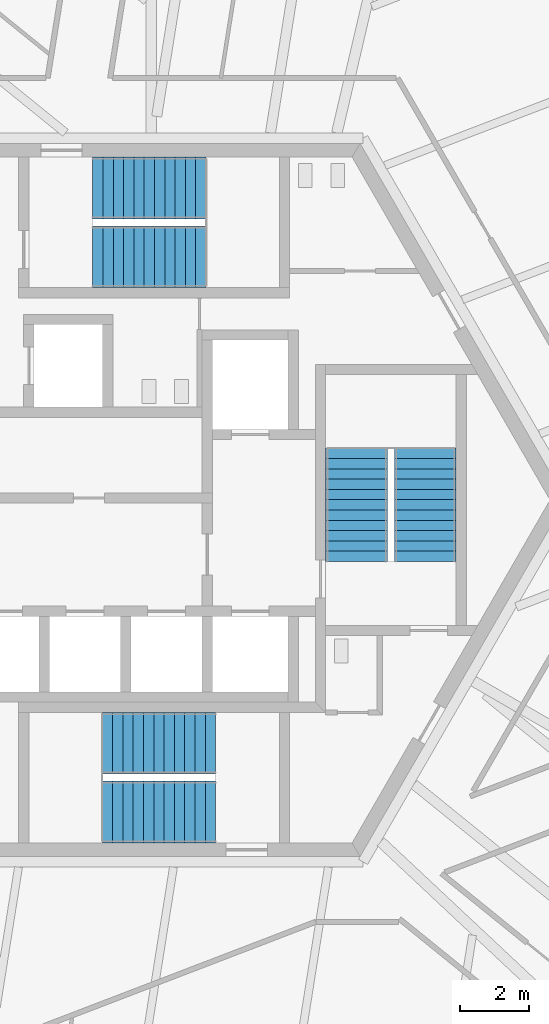
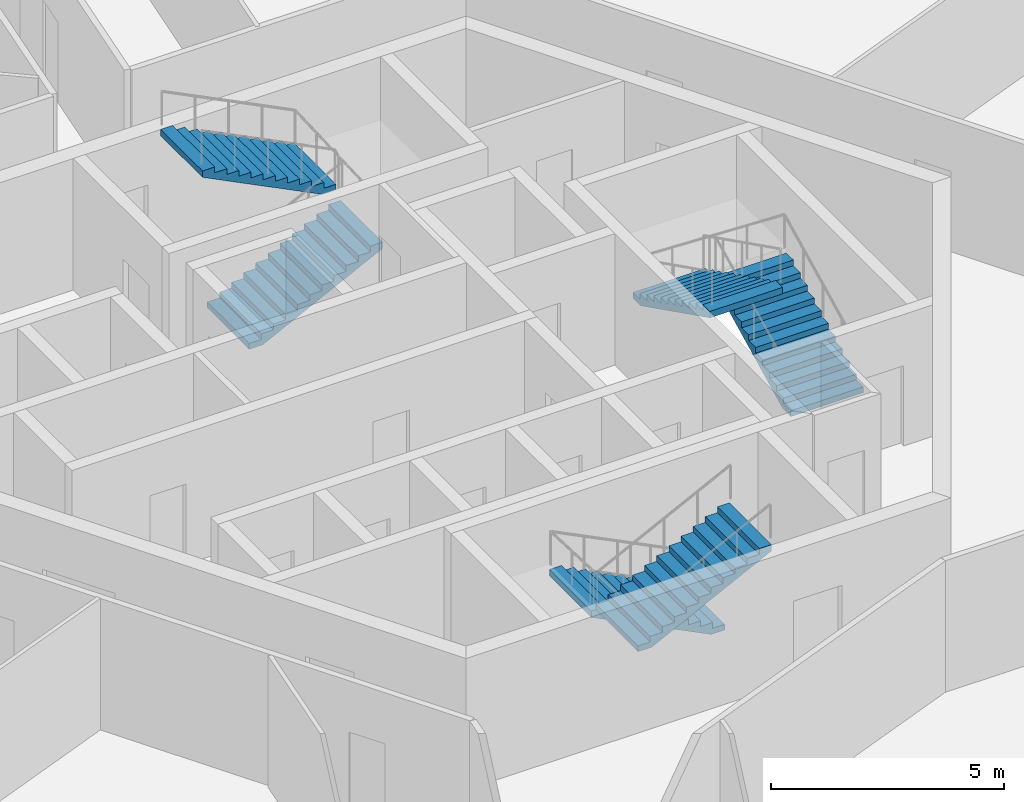
# One storey, part 15 of 21: 6 stair flights, 3 elements without a shape of their own.
"""IFC4 building model written with IfcOpenShell, lengths in metres."""

from ifc_helpers import new_model, si_unit, direction, frame, origin, place, context, subcontext, project, spatial, polyline, outline, extrude, source, transform, mapped, material, type_object, element, aggregate, save


model = new_model("IFC4")

# Units and contexts
model_context = context("Model", 3, precision=1e-05, world=origin(), true_north=direction((0.0, 1.0)))
body_context = subcontext(model_context, "Body", "Model", "MODEL_VIEW")
ifc_project = project(units=[si_unit("LENGTHUNIT", "METRE"), si_unit("AREAUNIT", "SQUARE_METRE"), si_unit("VOLUMEUNIT", "CUBIC_METRE"), si_unit("PLANEANGLEUNIT", "RADIAN"), si_unit("MASSUNIT", "GRAM", prefix="KILO")], contexts=[model_context])

# Site, building, storey
site_placement = place(None, origin())
site = spatial("IfcSite", under=ifc_project, at=site_placement, CompositionType="ELEMENT")
building_placement = place(site_placement, origin())
building = spatial("IfcBuilding", under=site, at=building_placement, Name="Triune Harvest Tower", CompositionType="ELEMENT")
storey_placement = place(building_placement, frame((0.0, 0.0, 146.10009765625)))
storey = spatial("IfcBuildingStorey", under=building, at=storey_placement, Name="L37", CompositionType="ELEMENT", Elevation=146.10009765625)

# Stair, stair flights
ifc_material_1 = material(Name="Concrete 40 MPa", Category="concrete")
stair_type = type_object("IfcStairType", Name="Exit stair 1800 half turn", PredefinedType="HALF_TURN_STAIR", material=ifc_material_1)
stair_1_placement = place(storey_placement, origin())
stair_1 = element("IfcStair", 1, at=stair_1_placement, inside=storey, type_object=stair_type, Name="Exit stair north", PredefinedType="HALF_TURN_STAIR")
ifc_material_2 = material(Name="Concrete 40 MPa", Category="concrete")
stair_flight_type = type_object("IfcStairFlightType", Name="Stair flight 1800", PredefinedType="STRAIGHT", material=ifc_material_2)
shared_shape = source(origin(), body_context, "Body", "SweptSolid", [
    extrude(outline(polyline([(0.0, 0.0), (0.0, 0.14990234375), (0.300048828125, 0.14990234375), (0.300048828125, 0.300048828125), (0.60009765625, 0.300048828125), (0.60009765625, 0.449951171875), (0.89990234375, 0.449951171875), (0.89990234375, 0.60009765625), (1.199951171875, 0.60009765625), (1.199951171875, 0.75), (1.5, 0.75), (1.5, 0.89990234375), (1.800048828125, 0.89990234375), (1.800048828125, 1.050048828125), (2.10009765625, 1.050048828125), (2.10009765625, 1.199951171875), (2.39990234375, 1.199951171875), (2.39990234375, 1.35009765625), (2.699951171875, 1.35009765625), (2.699951171875, 1.5), (3.0, 1.5), (3.0, 1.64990234375), (3.300048828125, 1.64990234375), (3.300048828125, 1.800048828125), (3.300048828125, 1.482421875), (0.335205078125, 0.0), (0.0, 0.0)])), frame((0.0, 0.89990234375, 0.0), z_axis=(0.0, -1.0, 0.0), x_axis=(1.0, 0.0, 0.0)), (0.0, 0.0, 1.0), 1.800048828125),
])
stair_flight_1_placement = place(storey_placement, frame((-1.7900390625, 7.090087890625, 0.0), z_axis=(0.0, 0.0, 1.0), x_axis=(1.0, 0.0, 0.0)))
stair_flight_1 = element("IfcStairFlight", 2, at=stair_flight_1_placement, type_object=stair_flight_type, Name="ST-1 flight 1", NumberOfRisers=12, NumberOfTreads=11, PredefinedType="STRAIGHT", RiserHeight=0.15, TreadLength=0.3, context=body_context, shape_type="MappedRepresentation", body=[
    mapped(shared_shape, transform((0.0, 0.0, 0.0), scale=1.0)),
])
stair_flight_2_placement = place(storey_placement, frame((1.510009765625, 9.090087890625, 1.7998046875), z_axis=(0.0, 0.0, 1.0), x_axis=(-1.0, 0.0, 0.0)))
stair_flight_2 = element("IfcStairFlight", 3, at=stair_flight_2_placement, type_object=stair_flight_type, Name="ST-1 flight 2", NumberOfRisers=12, NumberOfTreads=11, PredefinedType="STRAIGHT", RiserHeight=0.15, TreadLength=0.3, context=body_context, shape_type="MappedRepresentation", body=[
    mapped(shared_shape, transform((0.0, 0.0, 0.0), scale=1.0)),
])
aggregate(stair_1, [stair_flight_1, stair_flight_2])

stair_2_placement = place(storey_placement, origin())
stair_2 = element("IfcStair", 4, at=stair_2_placement, inside=storey, type_object=stair_type, Name="Exit stair south", PredefinedType="HALF_TURN_STAIR")
stair_flight_3_placement = place(storey_placement, frame((1.7900390625, -7.090087890625, 0.0), z_axis=(0.0, 0.0, 1.0), x_axis=(-1.0, 0.0, 0.0)))
stair_flight_3 = element("IfcStairFlight", 5, at=stair_flight_3_placement, type_object=stair_flight_type, Name="ST-2 flight 1", NumberOfRisers=12, NumberOfTreads=11, PredefinedType="STRAIGHT", RiserHeight=0.15, TreadLength=0.3, context=body_context, shape_type="MappedRepresentation", body=[
    mapped(shared_shape, transform((0.0, 0.0, 0.0), scale=1.0)),
])
stair_flight_4_placement = place(storey_placement, frame((-1.510009765625, -9.090087890625, 1.7998046875), z_axis=(0.0, 0.0, 1.0), x_axis=(1.0, 0.0, 0.0)))
stair_flight_4 = element("IfcStairFlight", 6, at=stair_flight_4_placement, type_object=stair_flight_type, Name="ST-2 flight 2", NumberOfRisers=12, NumberOfTreads=11, PredefinedType="STRAIGHT", RiserHeight=0.15, TreadLength=0.3, context=body_context, shape_type="MappedRepresentation", body=[
    mapped(shared_shape, transform((0.0, 0.0, 0.0), scale=1.0)),
])
aggregate(stair_2, [stair_flight_3, stair_flight_4])

stair_3_placement = place(storey_placement, origin())
stair_3 = element("IfcStair", 7, at=stair_3_placement, inside=storey, type_object=stair_type, Name="Exit stair east", PredefinedType="HALF_TURN_STAIR")
stair_flight_5_placement = place(storey_placement, frame((7.89990234375, -1.7900390625, 0.0), z_axis=(0.0, 0.0, 1.0), x_axis=(0.0, 1.0, 0.0)))
stair_flight_5 = element("IfcStairFlight", 8, at=stair_flight_5_placement, type_object=stair_flight_type, Name="ST-3 flight 1", NumberOfRisers=12, NumberOfTreads=11, PredefinedType="STRAIGHT", RiserHeight=0.15, TreadLength=0.3, context=body_context, shape_type="MappedRepresentation", body=[
    mapped(shared_shape, transform((0.0, 0.0, 0.0), scale=1.0)),
])
stair_flight_6_placement = place(storey_placement, frame((5.89990234375, 1.510009765625, 1.7998046875), z_axis=(0.0, 0.0, 1.0), x_axis=(0.0, -1.0, 0.0)))
stair_flight_6 = element("IfcStairFlight", 9, at=stair_flight_6_placement, type_object=stair_flight_type, Name="ST-3 flight 2", NumberOfRisers=12, NumberOfTreads=11, PredefinedType="STRAIGHT", RiserHeight=0.15, TreadLength=0.3, context=body_context, shape_type="MappedRepresentation", body=[
    mapped(shared_shape, transform((0.0, 0.0, 0.0), scale=1.0)),
])
aggregate(stair_3, [stair_flight_5, stair_flight_6])

save(model, "model.ifc")
